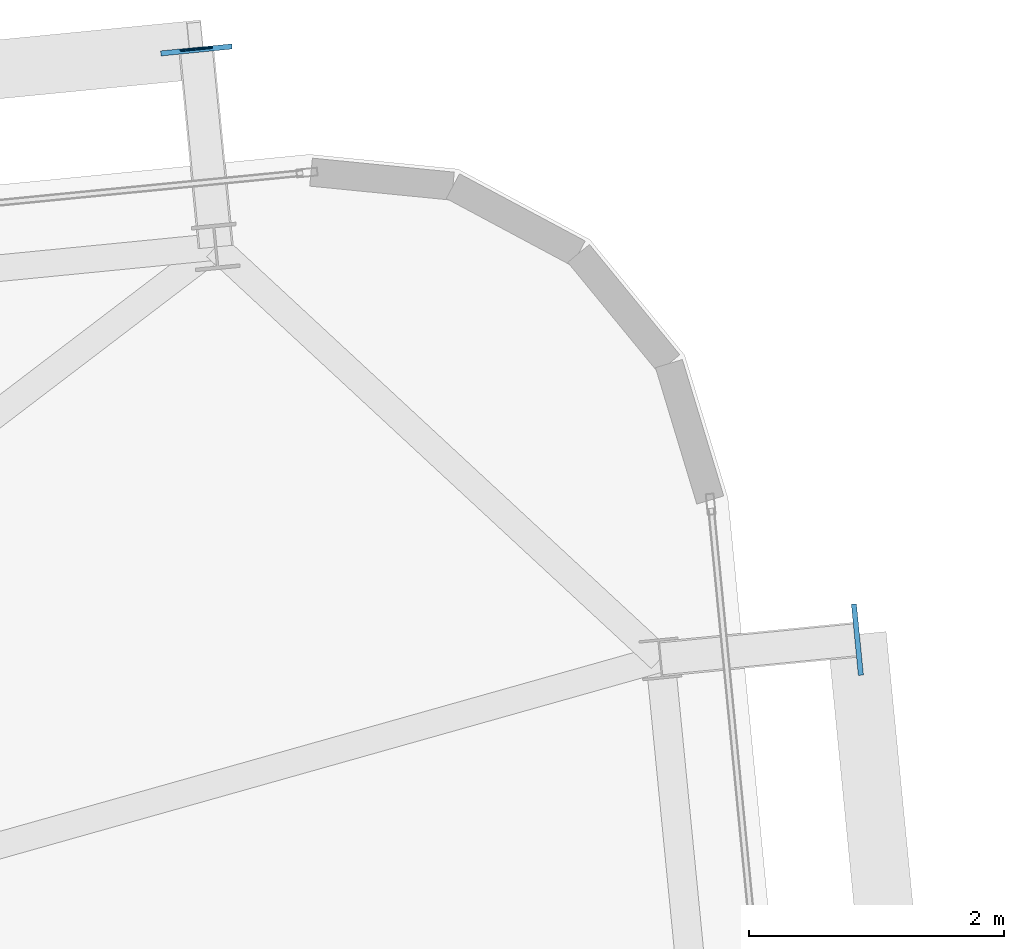
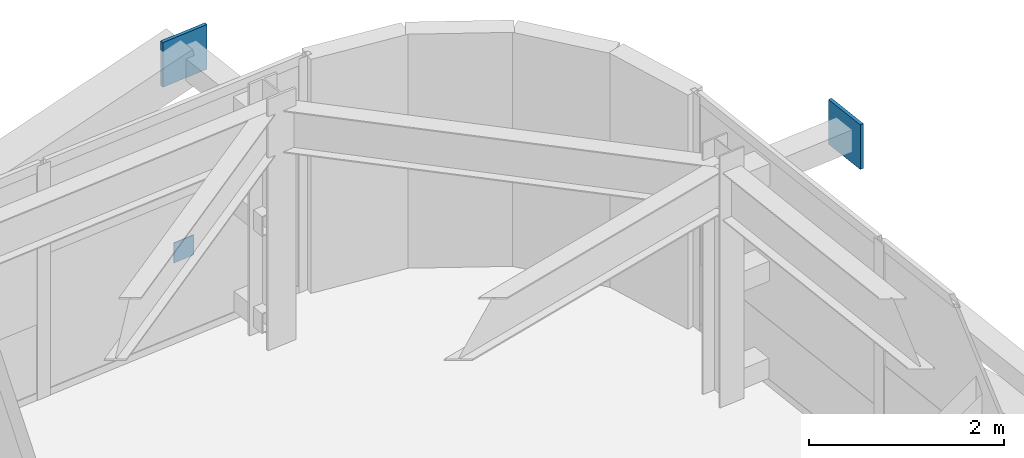
# One storey, part 45 of 52: 3 plates.
"""IFC4 building model written with IfcOpenShell, lengths in metres."""

import ifcopenshell
import ifcopenshell.guid

model = None  # the IFC model being written
_history = None  # IfcOwnerHistory: only IFC2X3 demands one
_inside = {}  # id of a spatial element -> (the spatial element, [elements in it])
_under = {}  # id of a project, library or spatial element -> (it, [spatial elements below it])
_declared = {}  # id of a project -> (the project, [libraries it declares])
_typed = {}  # id of a type object -> (the type object, [elements of that type])
_made_of = {}  # id of a material, layer set ... -> (it, [elements and type objects made of it])


def new_model(schema):
    """Start an empty IFC model of exactly this schema.

    Asked for "IFC4X3", IfcOpenShell would pick the latest addendum, in which some entities
    have other attributes; the version numbers below select the first issue.
    IFC2X3 requires an IfcOwnerHistory on every rooted entity: one is made here for all.
    """
    global model, _history
    if schema == "IFC4X3":
        model = ifcopenshell.file(schema_version=(4, 3, 0, 0))
    else:
        model = ifcopenshell.file(schema=schema)
    _inside.clear()
    _under.clear()
    _declared.clear()
    _typed.clear()
    _made_of.clear()
    _history = None
    if model.schema == "IFC2X3":
        org = make("IfcOrganization", Name="unknown")
        user = make(
            "IfcPersonAndOrganization",
            ThePerson=make("IfcPerson", FamilyName="unknown"),
            TheOrganization=org,
        )
        app = make(
            "IfcApplication",
            ApplicationDeveloper=org,
            Version="unknown",
            ApplicationFullName="unknown",
            ApplicationIdentifier="unknown",
        )
        _history = make(
            "IfcOwnerHistory",
            OwningUser=user,
            OwningApplication=app,
            ChangeAction="ADDED",
            CreationDate=0,
        )
    return model


def make(cls, **values):
    """One entity of the class cls with the attributes given. An attribute that is None is left unset."""
    return model.create_entity(
        cls, **{name: value for name, value in values.items() if value is not None}
    )


def rooted(cls, **values):
    """An entity with a GlobalId (a new one), such as an element, a storey or a relation."""
    return make(cls, GlobalId=ifcopenshell.guid.new(), OwnerHistory=_history, **values)


def si_unit(unit_type, name, prefix=None):
    """IfcSIUnit, for example si_unit("LENGTHUNIT", "METRE", prefix="MILLI")."""
    return make("IfcSIUnit", UnitType=unit_type, Prefix=prefix, Name=name)


def assignment(units):
    """IfcUnitAssignment: the units of a project."""
    return None if units is None else make("IfcUnitAssignment", Units=units)


def point(xyz):
    """IfcCartesianPoint."""
    return None if xyz is None else make("IfcCartesianPoint", Coordinates=xyz)


def direction(xyz):
    """IfcDirection."""
    return None if xyz is None else make("IfcDirection", DirectionRatios=xyz)


def frame(location, z_axis=None, x_axis=None):
    """IfcAxis2Placement3D, a coordinate frame: its origin and axes. An axis left out is left unset."""
    return make(
        "IfcAxis2Placement3D",
        Location=point(location),
        Axis=direction(z_axis),
        RefDirection=direction(x_axis),
    )


def frame_2d(location, x_axis=None):
    """IfcAxis2Placement2D, a coordinate frame in the plane: its origin and x axis."""
    return make(
        "IfcAxis2Placement2D", Location=point(location), RefDirection=direction(x_axis)
    )


def origin():
    """The frame at (0, 0, 0) with its axes left unset."""
    return frame((0.0, 0.0, 0.0))


def origin_2d():
    """The frame at (0, 0) in the plane with its x axis left unset."""
    return frame_2d((0.0, 0.0))


def place(relative_to, where):
    """IfcLocalPlacement: puts the frame where relative to a parent placement (None: the world)."""
    return make(
        "IfcLocalPlacement", PlacementRelTo=relative_to, RelativePlacement=where
    )


def context(
    kind, dimensions, precision=None, world=None, true_north=None, identifier=None
):
    """IfcGeometricRepresentationContext, for example the 3D "Model" context."""
    return make(
        "IfcGeometricRepresentationContext",
        ContextIdentifier=identifier,
        ContextType=kind,
        CoordinateSpaceDimension=dimensions,
        Precision=precision,
        WorldCoordinateSystem=world,
        TrueNorth=true_north,
    )


def subcontext(parent, identifier, kind, view, scale=None):
    """IfcGeometricRepresentationSubContext, for example "Body" below "Model"."""
    return make(
        "IfcGeometricRepresentationSubContext",
        ContextIdentifier=identifier,
        ContextType=kind,
        ParentContext=parent,
        TargetScale=scale,
        TargetView=view,
    )


def project(units=None, contexts=None):
    """IfcProject with its units and contexts."""
    return rooted(
        "IfcProject",
        Name="project",
        RepresentationContexts=contexts,
        UnitsInContext=assignment(units),
    )


def spatial(cls, under=None, at=None, **own):
    """A site, building, storey or space (cls), placed at a placement, below another one or the project."""
    s = rooted(cls, ObjectPlacement=at, **own)
    if under is not None:
        _under.setdefault(under.id(), (under, []))[1].append(s)
    return s


def profile(cls, at=None, kind="AREA", **sizes):
    """A parametric profile (cls). Its sizes go by their IFC names, for example OverallWidth=200.0."""
    return make(cls, ProfileType=kind, Position=at, **sizes)


def rectangle(**sizes):
    """IfcRectangleProfileDef."""
    return profile("IfcRectangleProfileDef", **sizes)


def extrude(swept, where, along, depth):
    """IfcExtrudedAreaSolid: the profile swept, set in the frame where, extruded along a direction by depth."""
    return make(
        "IfcExtrudedAreaSolid",
        SweptArea=swept,
        Position=where,
        ExtrudedDirection=direction(along),
        Depth=depth,
    )


def shape(context_of_items, identifier, shape_type, items):
    """IfcShapeRepresentation: the items that make up one representation, for example the "Body"."""
    return make(
        "IfcShapeRepresentation",
        ContextOfItems=context_of_items,
        RepresentationIdentifier=identifier,
        RepresentationType=shape_type,
        Items=items,
    )


def source(mapping_origin, context_of_items, identifier, shape_type, items):
    """IfcRepresentationMap: a shape defined once, which mapped items show again and again."""
    return make(
        "IfcRepresentationMap",
        MappingOrigin=mapping_origin,
        MappedRepresentation=shape(context_of_items, identifier, shape_type, items),
    )


def transform(
    local_origin,
    x_axis=None,
    y_axis=None,
    z_axis=None,
    scale=None,
    scale2=None,
    scale3=None,
    uniform=True,
):
    """IfcCartesianTransformationOperator3D, or its non-uniform kind. x_axis, y_axis, z_axis: its Axis1, 2, 3."""
    if uniform:
        return make(
            "IfcCartesianTransformationOperator3D",
            Axis1=direction(x_axis),
            Axis2=direction(y_axis),
            LocalOrigin=point(local_origin),
            Scale=scale,
            Axis3=direction(z_axis),
        )
    return make(
        "IfcCartesianTransformationOperator3DnonUniform",
        Axis1=direction(x_axis),
        Axis2=direction(y_axis),
        LocalOrigin=point(local_origin),
        Scale=scale,
        Axis3=direction(z_axis),
        Scale2=scale2,
        Scale3=scale3,
    )


def mapped(mapping_source, mapping_target):
    """IfcMappedItem: shows the shape of a source again, moved by a transform."""
    return make(
        "IfcMappedItem", MappingSource=mapping_source, MappingTarget=mapping_target
    )


def material(Name=None, Category=None):
    """IfcMaterial."""
    return make("IfcMaterial", Name=Name, Category=Category)


def layer(
    of_material, thickness, ventilated=None, Name=None, Category=None, Priority=None
):
    """IfcMaterialLayer: one layer of a wall or slab, of a material (None: an air gap)."""
    return make(
        "IfcMaterialLayer",
        Material=of_material,
        LayerThickness=thickness,
        IsVentilated=ventilated,
        Name=Name,
        Category=Category,
        Priority=Priority,
    )


def layer_set(layers, Name=None):
    """IfcMaterialLayerSet."""
    return make("IfcMaterialLayerSet", MaterialLayers=layers, LayerSetName=Name)


def made_of(thing, what):
    """Note that an element or type object is made of a material, layer set ...; save() writes the relation."""
    if what is not None:
        _made_of.setdefault(what.id(), (what, []))[1].append(thing)
    return thing


def type_object(cls, material=None, **own):
    """A type object (cls), such as IfcWallType, which elements share."""
    return made_of(rooted(cls, **own), material)


def element(
    cls,
    number,
    at=None,
    inside=None,
    cuts=None,
    type_object=None,
    material=None,
    context=None,
    identifier="Body",
    shape_type=None,
    held_by="IfcProductDefinitionShape",
    body=None,
    shapes=None,
    **own,
):
    """One element of the class cls, such as IfcWall. Its Tag is "e" and its number.

    at: its placement. inside: the storey or other place that contains it. cuts: it is an
    opening in that element (IfcRelVoidsElement). A single representation is given by context,
    identifier, shape_type and body (its items); several are given by shapes. held_by: the class
    of the entity that holds the representations. save() writes the other relations.
    """
    e = rooted(cls, Tag="e%d" % number, ObjectPlacement=at, **own)
    if body is not None:
        shapes = [shape(context, identifier, shape_type, body)]
    if shapes is not None:
        e.Representation = make(held_by, Representations=shapes)
    if inside is not None:
        _inside.setdefault(inside.id(), (inside, []))[1].append(e)
    if cuts is not None:
        rooted(
            "IfcRelVoidsElement", RelatingBuildingElement=cuts, RelatedOpeningElement=e
        )
    if type_object is not None:
        _typed.setdefault(type_object.id(), (type_object, []))[1].append(e)
    return made_of(e, material)


def aggregate(whole, parts):
    """IfcRelAggregates: a whole, such as a stair, and the parts it consists of."""
    return rooted("IfcRelAggregates", RelatingObject=whole, RelatedObjects=parts)


def save(model, path):
    """Write the relations noted so far, then the file.

    IfcRelAggregates (storeys below a building ...), IfcRelContainedInSpatialStructure (elements
    in a storey), IfcRelDefinesByType, IfcRelAssociatesMaterial and IfcRelDeclares: one each for
    every whole, place, type object, material and project.
    """
    for whole, parts in _under.values():
        aggregate(whole, parts)
    for where, things in _inside.values():
        rooted(
            "IfcRelContainedInSpatialStructure",
            RelatedElements=things,
            RelatingStructure=where,
        )
    for kind, things in _typed.values():
        rooted("IfcRelDefinesByType", RelatedObjects=things, RelatingType=kind)
    for what, things in _made_of.values():
        rooted("IfcRelAssociatesMaterial", RelatedObjects=things, RelatingMaterial=what)
    for by, libraries in _declared.values():
        rooted("IfcRelDeclares", RelatingContext=by, RelatedDefinitions=libraries)
    model.write(path)


model = new_model("IFC4")

# Units and contexts
model_context = context("Model", 3, precision=1e-05, world=origin(), true_north=direction((0.0, 1.0)))
body_context = subcontext(model_context, "Body", "Model", "MODEL_VIEW")
ifc_project = project(units=[si_unit("LENGTHUNIT", "METRE"), si_unit("AREAUNIT", "SQUARE_METRE"), si_unit("VOLUMEUNIT", "CUBIC_METRE"), si_unit("PLANEANGLEUNIT", "RADIAN"), si_unit("MASSUNIT", "GRAM", prefix="KILO")], contexts=[model_context])

# Site, building, storey
site_placement = place(None, origin())
site = spatial("IfcSite", under=ifc_project, at=site_placement, CompositionType="ELEMENT")
building_placement = place(site_placement, origin())
building = spatial("IfcBuilding", under=site, at=building_placement, Name="Taldren Reach Tower", CompositionType="ELEMENT")
storey_placement = place(building_placement, frame((0.0, 0.0, 93.449951171875)))
storey = spatial("IfcBuildingStorey", under=building, at=storey_placement, Name="L28", CompositionType="ELEMENT", Elevation=93.449951171875)

# Plates
ifc_material_1 = material(Name="Steel Gr 450 (C450L0)", Category="steel")
ifc_layer_1 = layer(ifc_material_1, 0.0400390625)
ifc_layer_set_1 = layer_set([ifc_layer_1], Name="Steel Gr 450 (C450L0)")
plate_type_1 = type_object("IfcPlateType", Name="PL-GUSSET-40", PredefinedType="SHEET", material=ifc_layer_set_1)
shared_shape_1 = source(origin(), body_context, "Body", "SweptSolid", [
    extrude(rectangle(XDim=0.56005859375, YDim=0.0400390625, at=origin_2d()), origin(), (0.0, 0.0, 1.0), 0.56005859375),
])
for number, where, z_axis, x_axis, name in (
    (1, (59.614501953125, 40.222412109375, 2.3701171875), (0.0, 0.0, 1.0), (0.995227399982, 0.097582899759, 0.0), "Exoskeleton star-node gusset plate B2-N6 L28"),
    (2, (64.789794921875, 35.60546875, 2.3701171875), (0.0, 0.0, 1.0), (-0.097582899759, 0.995227399982, 0.0), "Exoskeleton star-node gusset plate B2-E3 L28"),
):
    element("IfcPlate", number, at=place(storey_placement, frame(where, z_axis=z_axis, x_axis=x_axis)), inside=storey, type_object=plate_type_1, Name=name, PredefinedType="SHEET", context=body_context, shape_type="MappedRepresentation", body=[
        mapped(shared_shape_1, transform((0.0, 0.0, 0.0), scale=1.0)),
    ])
ifc_material_2 = material(Name="Steel Gr 350 (C350L0)", Category="steel")
ifc_layer_2 = layer(ifc_material_2, 0.011962890625)
ifc_layer_set_2 = layer_set([ifc_layer_2], Name="Steel Gr 350 (C350L0)")
plate_type_2 = type_object("IfcPlateType", Name="PL-CAP-250", PredefinedType="SHEET", material=ifc_layer_set_2)
shared_shape_2 = source(origin(), body_context, "Body", "SweptSolid", [
    extrude(rectangle(XDim=0.25, YDim=0.011962890625, at=origin_2d()), origin(), (0.0, 0.0, 1.0), 0.25),
])
plate_placement = place(storey_placement, frame((59.614013671875, 40.228515625, 0.094970703125), z_axis=(0.0, 0.0, 1.0), x_axis=(0.995227399982, 0.097582899759, 0.0)))
element("IfcPlate", 3, at=plate_placement, inside=storey, type_object=plate_type_2, Name="Tie strut end cap plate B2-N6 L28", PredefinedType="SHEET", context=body_context, shape_type="MappedRepresentation", body=[
    mapped(shared_shape_2, transform((0.0, 0.0, 0.0), scale=1.0)),
])

save(model, "model.ifc")
